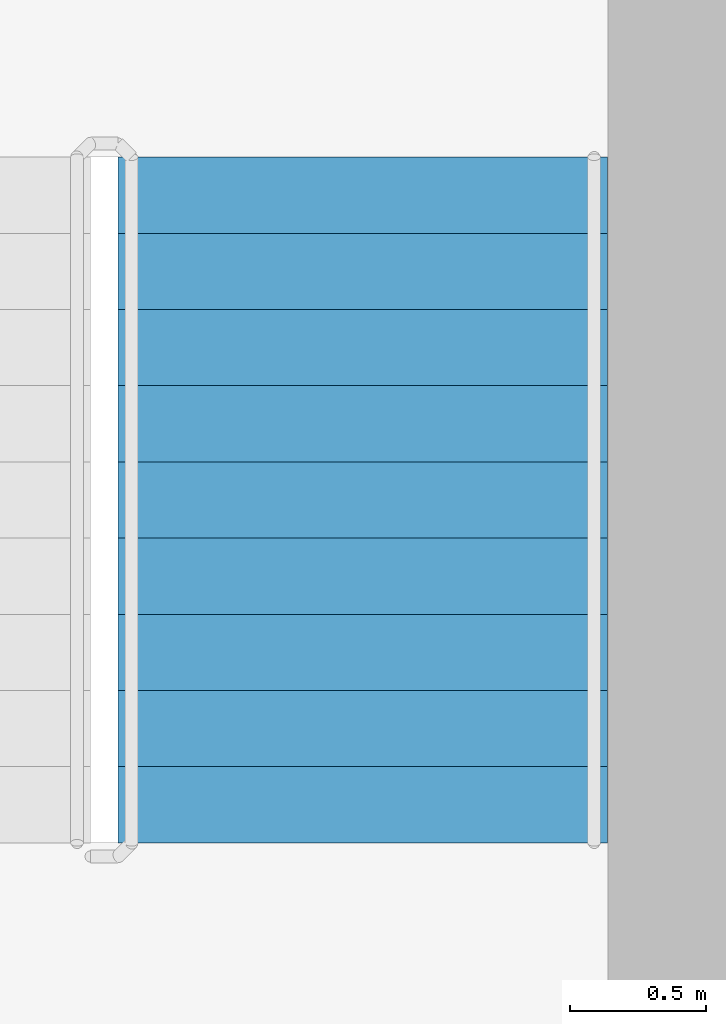
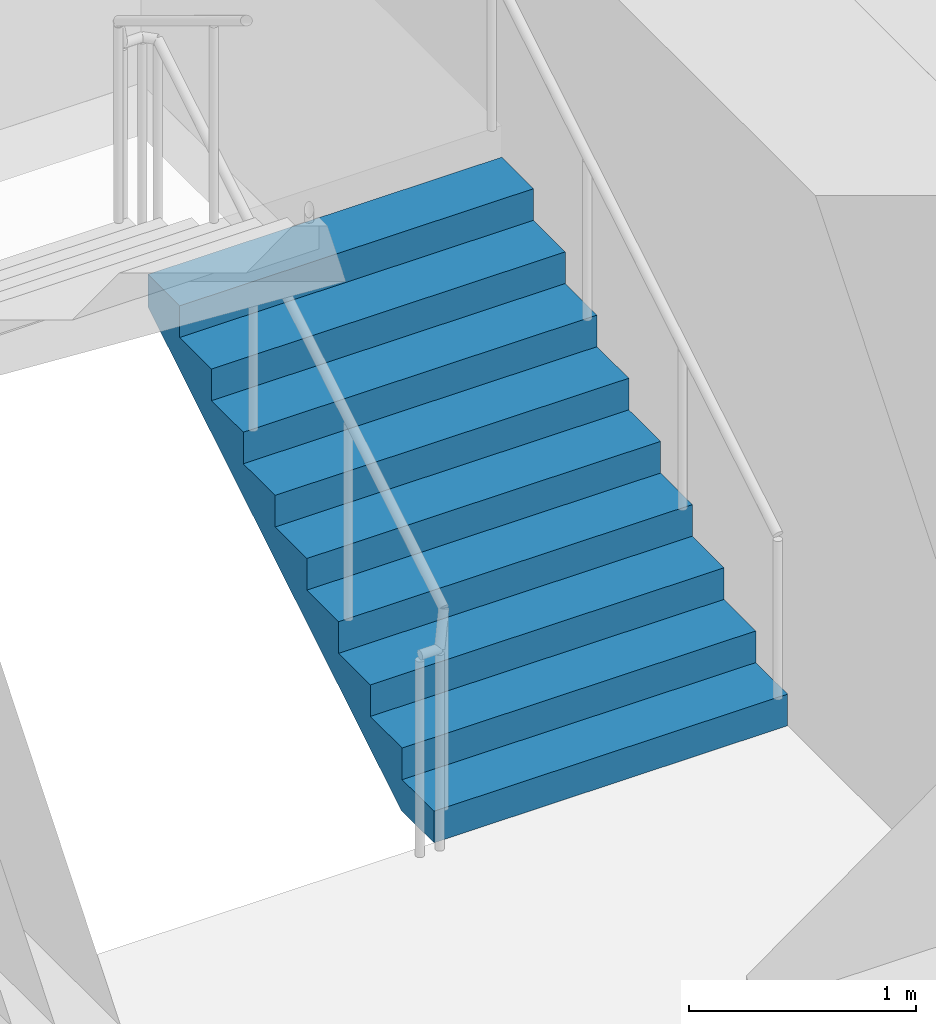
# One storey, part 19 of 23: 1 stair flight, 1 element without a shape of its own.
"""IFC4 building model written with IfcOpenShell, lengths in metres."""

from ifc_helpers import new_model, si_unit, direction, frame, origin, place, context, subcontext, project, spatial, triangles, source, transform, mapped, material, type_object, element, aggregate, save


model = new_model("IFC4")

# Units and contexts
model_context = context("Model", 3, precision=1e-05, world=origin(), true_north=direction((0.0, 1.0)))
body_context = subcontext(model_context, "Body", "Model", "MODEL_VIEW")
ifc_project = project(units=[si_unit("LENGTHUNIT", "METRE"), si_unit("AREAUNIT", "SQUARE_METRE"), si_unit("VOLUMEUNIT", "CUBIC_METRE"), si_unit("PLANEANGLEUNIT", "RADIAN"), si_unit("MASSUNIT", "GRAM", prefix="KILO")], contexts=[model_context])

# Site, building, storey
site_placement = place(None, origin())
site = spatial("IfcSite", under=ifc_project, at=site_placement, CompositionType="ELEMENT")
building_placement = place(site_placement, origin())
building = spatial("IfcBuilding", under=site, at=building_placement, Name="Kilnfold Tower and Market Hall", CompositionType="ELEMENT")
storey_placement = place(building_placement, frame((0.0, 0.0, 160.89990234375)))
storey = spatial("IfcBuildingStorey", under=building, at=storey_placement, Name="L37", CompositionType="ELEMENT", Elevation=160.89990234375)

# Stair, stair flight
ifc_material_1 = material(Name="Concrete C40/50", Category="concrete")
stair_type = type_object("IfcStairType", Name="CORE STAIR 1800", PredefinedType="HALF_TURN_STAIR", material=ifc_material_1)
stair_placement = place(storey_placement, origin())
stair = element("IfcStair", 1, at=stair_placement, inside=storey, type_object=stair_type, Name="L37 ST2", PredefinedType="HALF_TURN_STAIR")
ifc_material_2 = material(Name="Concrete C40/50", Category="concrete")
stair_flight_type = type_object("IfcStairFlightType", Name="CORE STAIR FLIGHT 1800", PredefinedType="STRAIGHT", material=ifc_material_2)
shared_shape = source(origin(), body_context, "Body", "Tessellation", [
    triangles([(0.0, 0.89990234375, 0.0), (0.0, 0.78759765625, 0.0), (0.0, 0.675048828125, 0.0), (0.0, 0.5625, 0.0), (0.0, 0.449951171875, 0.0), (0.0, 0.33740234375, 0.0), (0.0, 0.22509765625, 0.0), (0.0, 0.112548828125, 0.0), (0.0, 0.0, 0.0), (0.0, -0.112548828125, 0.0), (0.0, -0.22509765625, 0.0), (0.0, -0.33740234375, 0.0), (0.0, -0.449951171875, 0.0), (0.0, -0.5625, 0.0), (0.0, -0.675048828125, 0.0), (0.0, -0.78759765625, 0.0), (0.0, -0.89990234375, 0.0), (0.0, 0.89990234375, 0.169921875), (0.0, 0.78759765625, 0.169921875), (0.0, 0.675048828125, 0.169921875), (0.0, 0.5625, 0.169921875), (0.0, 0.449951171875, 0.169921875), (0.0, 0.33740234375, 0.169921875), (0.0, 0.22509765625, 0.169921875), (0.0, 0.112548828125, 0.169921875), (0.0, 0.0, 0.169921875), (0.0, -0.112548828125, 0.169921875), (0.0, -0.22509765625, 0.169921875), (0.0, -0.33740234375, 0.169921875), (0.0, -0.449951171875, 0.169921875), (0.0, -0.5625, 0.169921875), (0.0, -0.675048828125, 0.169921875), (0.0, -0.78759765625, 0.169921875), (0.0, -0.89990234375, 0.169921875), (0.280029296875, 0.89990234375, 0.169921875), (0.280029296875, 0.78759765625, 0.169921875), (0.280029296875, 0.675048828125, 0.169921875), (0.280029296875, 0.5625, 0.169921875), (0.280029296875, 0.449951171875, 0.169921875), (0.280029296875, 0.33740234375, 0.169921875), (0.280029296875, 0.22509765625, 0.169921875), (0.280029296875, 0.112548828125, 0.169921875), (0.280029296875, 0.0, 0.169921875), (0.280029296875, -0.112548828125, 0.169921875), (0.280029296875, -0.22509765625, 0.169921875), (0.280029296875, -0.33740234375, 0.169921875), (0.280029296875, -0.449951171875, 0.169921875), (0.280029296875, -0.5625, 0.169921875), (0.280029296875, -0.675048828125, 0.169921875), (0.280029296875, -0.78759765625, 0.169921875), (0.280029296875, -0.89990234375, 0.169921875), (0.280029296875, 0.89990234375, 0.340087890625), (0.280029296875, 0.78759765625, 0.340087890625), (0.280029296875, 0.675048828125, 0.340087890625), (0.280029296875, 0.5625, 0.340087890625), (0.280029296875, 0.449951171875, 0.340087890625), (0.280029296875, 0.33740234375, 0.340087890625), (0.280029296875, 0.22509765625, 0.340087890625), (0.280029296875, 0.112548828125, 0.340087890625), (0.280029296875, 0.0, 0.340087890625), (0.280029296875, -0.112548828125, 0.340087890625), (0.280029296875, -0.22509765625, 0.340087890625), (0.280029296875, -0.33740234375, 0.340087890625), (0.280029296875, -0.449951171875, 0.340087890625), (0.280029296875, -0.5625, 0.340087890625), (0.280029296875, -0.675048828125, 0.340087890625), (0.280029296875, -0.78759765625, 0.340087890625), (0.280029296875, -0.89990234375, 0.340087890625), (0.56005859375, 0.89990234375, 0.340087890625), (0.56005859375, 0.78759765625, 0.340087890625), (0.56005859375, 0.675048828125, 0.340087890625), (0.56005859375, 0.5625, 0.340087890625), (0.56005859375, 0.449951171875, 0.340087890625), (0.56005859375, 0.33740234375, 0.340087890625), (0.56005859375, 0.22509765625, 0.340087890625), (0.56005859375, 0.112548828125, 0.340087890625), (0.56005859375, 0.0, 0.340087890625), (0.56005859375, -0.112548828125, 0.340087890625), (0.56005859375, -0.22509765625, 0.340087890625), (0.56005859375, -0.33740234375, 0.340087890625), (0.56005859375, -0.449951171875, 0.340087890625), (0.56005859375, -0.5625, 0.340087890625), (0.56005859375, -0.675048828125, 0.340087890625), (0.56005859375, -0.78759765625, 0.340087890625), (0.56005859375, -0.89990234375, 0.340087890625), (0.56005859375, 0.89990234375, 0.510009765625), (0.56005859375, 0.78759765625, 0.510009765625), (0.56005859375, 0.675048828125, 0.510009765625), (0.56005859375, 0.5625, 0.510009765625), (0.56005859375, 0.449951171875, 0.510009765625), (0.56005859375, 0.33740234375, 0.510009765625), (0.56005859375, 0.22509765625, 0.510009765625), (0.56005859375, 0.112548828125, 0.510009765625), (0.56005859375, 0.0, 0.510009765625), (0.56005859375, -0.112548828125, 0.510009765625), (0.56005859375, -0.22509765625, 0.510009765625), (0.56005859375, -0.33740234375, 0.510009765625), (0.56005859375, -0.449951171875, 0.510009765625), (0.56005859375, -0.5625, 0.510009765625), (0.56005859375, -0.675048828125, 0.510009765625), (0.56005859375, -0.78759765625, 0.510009765625), (0.56005859375, -0.89990234375, 0.510009765625), (0.840087890625, 0.89990234375, 0.510009765625), (0.840087890625, 0.78759765625, 0.510009765625), (0.840087890625, 0.675048828125, 0.510009765625), (0.840087890625, 0.5625, 0.510009765625), (0.840087890625, 0.449951171875, 0.510009765625), (0.840087890625, 0.33740234375, 0.510009765625), (0.840087890625, 0.22509765625, 0.510009765625), (0.840087890625, 0.112548828125, 0.510009765625), (0.840087890625, 0.0, 0.510009765625), (0.840087890625, -0.112548828125, 0.510009765625), (0.840087890625, -0.22509765625, 0.510009765625), (0.840087890625, -0.33740234375, 0.510009765625), (0.840087890625, -0.449951171875, 0.510009765625), (0.840087890625, -0.5625, 0.510009765625), (0.840087890625, -0.675048828125, 0.510009765625), (0.840087890625, -0.78759765625, 0.510009765625), (0.840087890625, -0.89990234375, 0.510009765625), (0.840087890625, 0.89990234375, 0.679931640625), (0.840087890625, 0.78759765625, 0.679931640625), (0.840087890625, 0.675048828125, 0.679931640625), (0.840087890625, 0.5625, 0.679931640625), (0.840087890625, 0.449951171875, 0.679931640625), (0.840087890625, 0.33740234375, 0.679931640625), (0.840087890625, 0.22509765625, 0.679931640625), (0.840087890625, 0.112548828125, 0.679931640625), (0.840087890625, 0.0, 0.679931640625), (0.840087890625, -0.112548828125, 0.679931640625), (0.840087890625, -0.22509765625, 0.679931640625), (0.840087890625, -0.33740234375, 0.679931640625), (0.840087890625, -0.449951171875, 0.679931640625), (0.840087890625, -0.5625, 0.679931640625), (0.840087890625, -0.675048828125, 0.679931640625), (0.840087890625, -0.78759765625, 0.679931640625), (0.840087890625, -0.89990234375, 0.679931640625), (1.1201171875, 0.89990234375, 0.679931640625), (1.1201171875, 0.78759765625, 0.679931640625), (1.1201171875, 0.675048828125, 0.679931640625), (1.1201171875, 0.5625, 0.679931640625), (1.1201171875, 0.449951171875, 0.679931640625), (1.1201171875, 0.33740234375, 0.679931640625), (1.1201171875, 0.22509765625, 0.679931640625), (1.1201171875, 0.112548828125, 0.679931640625), (1.1201171875, 0.0, 0.679931640625), (1.1201171875, -0.112548828125, 0.679931640625), (1.1201171875, -0.22509765625, 0.679931640625), (1.1201171875, -0.33740234375, 0.679931640625), (1.1201171875, -0.449951171875, 0.679931640625), (1.1201171875, -0.5625, 0.679931640625), (1.1201171875, -0.675048828125, 0.679931640625), (1.1201171875, -0.78759765625, 0.679931640625), (1.1201171875, -0.89990234375, 0.679931640625), (1.1201171875, 0.89990234375, 0.85009765625), (1.1201171875, 0.78759765625, 0.85009765625), (1.1201171875, 0.675048828125, 0.85009765625), (1.1201171875, 0.5625, 0.85009765625), (1.1201171875, 0.449951171875, 0.85009765625), (1.1201171875, 0.33740234375, 0.85009765625), (1.1201171875, 0.22509765625, 0.85009765625), (1.1201171875, 0.112548828125, 0.85009765625), (1.1201171875, 0.0, 0.85009765625), (1.1201171875, -0.112548828125, 0.85009765625), (1.1201171875, -0.22509765625, 0.85009765625), (1.1201171875, -0.33740234375, 0.85009765625), (1.1201171875, -0.449951171875, 0.85009765625), (1.1201171875, -0.5625, 0.85009765625), (1.1201171875, -0.675048828125, 0.85009765625), (1.1201171875, -0.78759765625, 0.85009765625), (1.1201171875, -0.89990234375, 0.85009765625), (1.39990234375, 0.89990234375, 0.85009765625), (1.39990234375, 0.78759765625, 0.85009765625), (1.39990234375, 0.675048828125, 0.85009765625), (1.39990234375, 0.5625, 0.85009765625), (1.39990234375, 0.449951171875, 0.85009765625), (1.39990234375, 0.33740234375, 0.85009765625), (1.39990234375, 0.22509765625, 0.85009765625), (1.39990234375, 0.112548828125, 0.85009765625), (1.39990234375, 0.0, 0.85009765625), (1.39990234375, -0.112548828125, 0.85009765625), (1.39990234375, -0.22509765625, 0.85009765625), (1.39990234375, -0.33740234375, 0.85009765625), (1.39990234375, -0.449951171875, 0.85009765625), (1.39990234375, -0.5625, 0.85009765625), (1.39990234375, -0.675048828125, 0.85009765625), (1.39990234375, -0.78759765625, 0.85009765625), (1.39990234375, -0.89990234375, 0.85009765625), (1.39990234375, 0.89990234375, 1.02001953125), (1.39990234375, 0.78759765625, 1.02001953125), (1.39990234375, 0.675048828125, 1.02001953125), (1.39990234375, 0.5625, 1.02001953125), (1.39990234375, 0.449951171875, 1.02001953125), (1.39990234375, 0.33740234375, 1.02001953125), (1.39990234375, 0.22509765625, 1.02001953125), (1.39990234375, 0.112548828125, 1.02001953125), (1.39990234375, 0.0, 1.02001953125), (1.39990234375, -0.112548828125, 1.02001953125), (1.39990234375, -0.22509765625, 1.02001953125), (1.39990234375, -0.33740234375, 1.02001953125), (1.39990234375, -0.449951171875, 1.02001953125), (1.39990234375, -0.5625, 1.02001953125), (1.39990234375, -0.675048828125, 1.02001953125), (1.39990234375, -0.78759765625, 1.02001953125), (1.39990234375, -0.89990234375, 1.02001953125), (1.679931640625, 0.89990234375, 1.02001953125), (1.679931640625, 0.78759765625, 1.02001953125), (1.679931640625, 0.675048828125, 1.02001953125), (1.679931640625, 0.5625, 1.02001953125), (1.679931640625, 0.449951171875, 1.02001953125), (1.679931640625, 0.33740234375, 1.02001953125), (1.679931640625, 0.22509765625, 1.02001953125), (1.679931640625, 0.112548828125, 1.02001953125), (1.679931640625, 0.0, 1.02001953125), (1.679931640625, -0.112548828125, 1.02001953125), (1.679931640625, -0.22509765625, 1.02001953125), (1.679931640625, -0.33740234375, 1.02001953125), (1.679931640625, -0.449951171875, 1.02001953125), (1.679931640625, -0.5625, 1.02001953125), (1.679931640625, -0.675048828125, 1.02001953125), (1.679931640625, -0.78759765625, 1.02001953125), (1.679931640625, -0.89990234375, 1.02001953125), (1.679931640625, 0.89990234375, 1.18994140625), (1.679931640625, 0.78759765625, 1.18994140625), (1.679931640625, 0.675048828125, 1.18994140625), (1.679931640625, 0.5625, 1.18994140625), (1.679931640625, 0.449951171875, 1.18994140625), (1.679931640625, 0.33740234375, 1.18994140625), (1.679931640625, 0.22509765625, 1.18994140625), (1.679931640625, 0.112548828125, 1.18994140625), (1.679931640625, 0.0, 1.18994140625), (1.679931640625, -0.112548828125, 1.18994140625), (1.679931640625, -0.22509765625, 1.18994140625), (1.679931640625, -0.33740234375, 1.18994140625), (1.679931640625, -0.449951171875, 1.18994140625), (1.679931640625, -0.5625, 1.18994140625), (1.679931640625, -0.675048828125, 1.18994140625), (1.679931640625, -0.78759765625, 1.18994140625), (1.679931640625, -0.89990234375, 1.18994140625), (1.9599609375, 0.89990234375, 1.18994140625), (1.9599609375, 0.78759765625, 1.18994140625), (1.9599609375, 0.675048828125, 1.18994140625), (1.9599609375, 0.5625, 1.18994140625), (1.9599609375, 0.449951171875, 1.18994140625), (1.9599609375, 0.33740234375, 1.18994140625), (1.9599609375, 0.22509765625, 1.18994140625), (1.9599609375, 0.112548828125, 1.18994140625), (1.9599609375, 0.0, 1.18994140625), (1.9599609375, -0.112548828125, 1.18994140625), (1.9599609375, -0.22509765625, 1.18994140625), (1.9599609375, -0.33740234375, 1.18994140625), (1.9599609375, -0.449951171875, 1.18994140625), (1.9599609375, -0.5625, 1.18994140625), (1.9599609375, -0.675048828125, 1.18994140625), (1.9599609375, -0.78759765625, 1.18994140625), (1.9599609375, -0.89990234375, 1.18994140625), (1.9599609375, 0.89990234375, 1.360107421875), (1.9599609375, 0.78759765625, 1.360107421875), (1.9599609375, 0.675048828125, 1.360107421875), (1.9599609375, 0.5625, 1.360107421875), (1.9599609375, 0.449951171875, 1.360107421875), (1.9599609375, 0.33740234375, 1.360107421875), (1.9599609375, 0.22509765625, 1.360107421875), (1.9599609375, 0.112548828125, 1.360107421875), (1.9599609375, 0.0, 1.360107421875), (1.9599609375, -0.112548828125, 1.360107421875), (1.9599609375, -0.22509765625, 1.360107421875), (1.9599609375, -0.33740234375, 1.360107421875), (1.9599609375, -0.449951171875, 1.360107421875), (1.9599609375, -0.5625, 1.360107421875), (1.9599609375, -0.675048828125, 1.360107421875), (1.9599609375, -0.78759765625, 1.360107421875), (1.9599609375, -0.89990234375, 1.360107421875), (2.239990234375, 0.89990234375, 1.360107421875), (2.239990234375, 0.78759765625, 1.360107421875), (2.239990234375, 0.675048828125, 1.360107421875), (2.239990234375, 0.5625, 1.360107421875), (2.239990234375, 0.449951171875, 1.360107421875), (2.239990234375, 0.33740234375, 1.360107421875), (2.239990234375, 0.22509765625, 1.360107421875), (2.239990234375, 0.112548828125, 1.360107421875), (2.239990234375, 0.0, 1.360107421875), (2.239990234375, -0.112548828125, 1.360107421875), (2.239990234375, -0.22509765625, 1.360107421875), (2.239990234375, -0.33740234375, 1.360107421875), (2.239990234375, -0.449951171875, 1.360107421875), (2.239990234375, -0.5625, 1.360107421875), (2.239990234375, -0.675048828125, 1.360107421875), (2.239990234375, -0.78759765625, 1.360107421875), (2.239990234375, -0.89990234375, 1.360107421875), (2.239990234375, 0.89990234375, 1.530029296875), (2.239990234375, 0.78759765625, 1.530029296875), (2.239990234375, 0.675048828125, 1.530029296875), (2.239990234375, 0.5625, 1.530029296875), (2.239990234375, 0.449951171875, 1.530029296875), (2.239990234375, 0.33740234375, 1.530029296875), (2.239990234375, 0.22509765625, 1.530029296875), (2.239990234375, 0.112548828125, 1.530029296875), (2.239990234375, 0.0, 1.530029296875), (2.239990234375, -0.112548828125, 1.530029296875), (2.239990234375, -0.22509765625, 1.530029296875), (2.239990234375, -0.33740234375, 1.530029296875), (2.239990234375, -0.449951171875, 1.530029296875), (2.239990234375, -0.5625, 1.530029296875), (2.239990234375, -0.675048828125, 1.530029296875), (2.239990234375, -0.78759765625, 1.530029296875), (2.239990234375, -0.89990234375, 1.530029296875), (2.52001953125, 0.89990234375, 1.530029296875), (2.52001953125, 0.78759765625, 1.530029296875), (2.52001953125, 0.675048828125, 1.530029296875), (2.52001953125, 0.5625, 1.530029296875), (2.52001953125, 0.449951171875, 1.530029296875), (2.52001953125, 0.33740234375, 1.530029296875), (2.52001953125, 0.22509765625, 1.530029296875), (2.52001953125, 0.112548828125, 1.530029296875), (2.52001953125, 0.0, 1.530029296875), (2.52001953125, -0.112548828125, 1.530029296875), (2.52001953125, -0.22509765625, 1.530029296875), (2.52001953125, -0.33740234375, 1.530029296875), (2.52001953125, -0.449951171875, 1.530029296875), (2.52001953125, -0.5625, 1.530029296875), (2.52001953125, -0.675048828125, 1.530029296875), (2.52001953125, -0.78759765625, 1.530029296875), (2.52001953125, -0.89990234375, 1.530029296875), (2.52001953125, 0.89990234375, 1.354736328125), (2.52001953125, 0.78759765625, 1.354736328125), (2.52001953125, 0.675048828125, 1.354736328125), (2.52001953125, 0.5625, 1.354736328125), (2.52001953125, 0.449951171875, 1.354736328125), (2.52001953125, 0.33740234375, 1.354736328125), (2.52001953125, 0.22509765625, 1.354736328125), (2.52001953125, 0.112548828125, 1.354736328125), (2.52001953125, 0.0, 1.354736328125), (2.52001953125, -0.112548828125, 1.354736328125), (2.52001953125, -0.22509765625, 1.354736328125), (2.52001953125, -0.33740234375, 1.354736328125), (2.52001953125, -0.449951171875, 1.354736328125), (2.52001953125, -0.5625, 1.354736328125), (2.52001953125, -0.675048828125, 1.354736328125), (2.52001953125, -0.78759765625, 1.354736328125), (2.52001953125, -0.89990234375, 1.354736328125), (0.288818359375, 0.89990234375, 0.0), (0.288818359375, 0.78759765625, 0.0), (0.288818359375, 0.675048828125, 0.0), (0.288818359375, 0.5625, 0.0), (0.288818359375, 0.449951171875, 0.0), (0.288818359375, 0.33740234375, 0.0), (0.288818359375, 0.22509765625, 0.0), (0.288818359375, 0.112548828125, 0.0), (0.288818359375, 0.0, 0.0), (0.288818359375, -0.112548828125, 0.0), (0.288818359375, -0.22509765625, 0.0), (0.288818359375, -0.33740234375, 0.0), (0.288818359375, -0.449951171875, 0.0), (0.288818359375, -0.5625, 0.0), (0.288818359375, -0.675048828125, 0.0), (0.288818359375, -0.78759765625, 0.0), (0.288818359375, -0.89990234375, 0.0)], [[1, 324, 341], [17, 357, 340], [324, 290, 307], [340, 323, 306], [324, 273, 290], [340, 306, 289], [324, 256, 273], [340, 289, 272], [324, 239, 256], [340, 272, 255], [239, 205, 222], [255, 238, 221], [324, 205, 239], [340, 255, 221], [205, 171, 188], [221, 204, 187], [324, 171, 205], [340, 221, 187], [171, 137, 154], [187, 170, 153], [324, 137, 171], [340, 187, 153], [137, 103, 120], [153, 136, 119], [324, 103, 137], [340, 153, 119], [103, 69, 86], [119, 102, 85], [324, 69, 103], [340, 119, 85], [69, 35, 52], [85, 68, 51], [324, 35, 69], [340, 85, 51], [1, 35, 324], [17, 340, 51], [35, 1, 18], [51, 34, 17], [1, 19, 18], [1, 2, 19], [2, 20, 19], [2, 3, 20], [3, 21, 20], [3, 4, 21], [4, 22, 21], [4, 5, 22], [5, 23, 22], [5, 6, 23], [6, 24, 23], [6, 7, 24], [7, 25, 24], [7, 8, 25], [8, 26, 25], [8, 9, 26], [9, 27, 26], [9, 10, 27], [10, 28, 27], [10, 11, 28], [11, 29, 28], [11, 12, 29], [12, 30, 29], [12, 13, 30], [13, 31, 30], [13, 14, 31], [14, 32, 31], [14, 15, 32], [15, 33, 32], [15, 16, 33], [16, 34, 33], [16, 17, 34], [18, 36, 35], [18, 19, 36], [19, 37, 36], [19, 20, 37], [20, 38, 37], [20, 21, 38], [21, 39, 38], [21, 22, 39], [22, 40, 39], [22, 23, 40], [23, 41, 40], [23, 24, 41], [24, 42, 41], [24, 25, 42], [25, 43, 42], [25, 26, 43], [26, 44, 43], [26, 27, 44], [27, 45, 44], [27, 28, 45], [28, 46, 45], [28, 29, 46], [29, 47, 46], [29, 30, 47], [30, 48, 47], [30, 31, 48], [31, 49, 48], [31, 32, 49], [32, 50, 49], [32, 33, 50], [33, 51, 50], [33, 34, 51], [35, 53, 52], [35, 36, 53], [36, 54, 53], [36, 37, 54], [37, 55, 54], [37, 38, 55], [38, 56, 55], [38, 39, 56], [39, 57, 56], [39, 40, 57], [40, 58, 57], [40, 41, 58], [41, 59, 58], [41, 42, 59], [42, 60, 59], [42, 43, 60], [43, 61, 60], [43, 44, 61], [44, 62, 61], [44, 45, 62], [45, 63, 62], [45, 46, 63], [46, 64, 63], [46, 47, 64], [47, 65, 64], [47, 48, 65], [48, 66, 65], [48, 49, 66], [49, 67, 66], [49, 50, 67], [50, 68, 67], [50, 51, 68], [52, 70, 69], [52, 53, 70], [53, 71, 70], [53, 54, 71], [54, 72, 71], [54, 55, 72], [55, 73, 72], [55, 56, 73], [56, 74, 73], [56, 57, 74], [57, 75, 74], [57, 58, 75], [58, 76, 75], [58, 59, 76], [59, 77, 76], [59, 60, 77], [60, 78, 77], [60, 61, 78], [61, 79, 78], [61, 62, 79], [62, 80, 79], [62, 63, 80], [63, 81, 80], [63, 64, 81], [64, 82, 81], [64, 65, 82], [65, 83, 82], [65, 66, 83], [66, 84, 83], [66, 67, 84], [67, 85, 84], [67, 68, 85], [69, 87, 86], [69, 70, 87], [70, 88, 87], [70, 71, 88], [71, 89, 88], [71, 72, 89], [72, 90, 89], [72, 73, 90], [73, 91, 90], [73, 74, 91], [74, 92, 91], [74, 75, 92], [75, 93, 92], [75, 76, 93], [76, 94, 93], [76, 77, 94], [77, 95, 94], [77, 78, 95], [78, 96, 95], [78, 79, 96], [79, 97, 96], [79, 80, 97], [80, 98, 97], [80, 81, 98], [81, 99, 98], [81, 82, 99], [82, 100, 99], [82, 83, 100], [83, 101, 100], [83, 84, 101], [84, 102, 101], [84, 85, 102], [86, 104, 103], [86, 87, 104], [87, 105, 104], [87, 88, 105], [88, 106, 105], [88, 89, 106], [89, 107, 106], [89, 90, 107], [90, 108, 107], [90, 91, 108], [91, 109, 108], [91, 92, 109], [92, 110, 109], [92, 93, 110], [93, 111, 110], [93, 94, 111], [94, 112, 111], [94, 95, 112], [95, 113, 112], [95, 96, 113], [96, 114, 113], [96, 97, 114], [97, 115, 114], [97, 98, 115], [98, 116, 115], [98, 99, 116], [99, 117, 116], [99, 100, 117], [100, 118, 117], [100, 101, 118], [101, 119, 118], [101, 102, 119], [103, 121, 120], [103, 104, 121], [104, 122, 121], [104, 105, 122], [105, 123, 122], [105, 106, 123], [106, 124, 123], [106, 107, 124], [107, 125, 124], [107, 108, 125], [108, 126, 125], [108, 109, 126], [109, 127, 126], [109, 110, 127], [110, 128, 127], [110, 111, 128], [111, 129, 128], [111, 112, 129], [112, 130, 129], [112, 113, 130], [113, 131, 130], [113, 114, 131], [114, 132, 131], [114, 115, 132], [115, 133, 132], [115, 116, 133], [116, 134, 133], [116, 117, 134], [117, 135, 134], [117, 118, 135], [118, 136, 135], [118, 119, 136], [120, 138, 137], [120, 121, 138], [121, 139, 138], [121, 122, 139], [122, 140, 139], [122, 123, 140], [123, 141, 140], [123, 124, 141], [124, 142, 141], [124, 125, 142], [125, 143, 142], [125, 126, 143], [126, 144, 143], [126, 127, 144], [127, 145, 144], [127, 128, 145], [128, 146, 145], [128, 129, 146], [129, 147, 146], [129, 130, 147], [130, 148, 147], [130, 131, 148], [131, 149, 148], [131, 132, 149], [132, 150, 149], [132, 133, 150], [133, 151, 150], [133, 134, 151], [134, 152, 151], [134, 135, 152], [135, 153, 152], [135, 136, 153], [137, 155, 154], [137, 138, 155], [138, 156, 155], [138, 139, 156], [139, 157, 156], [139, 140, 157], [140, 158, 157], [140, 141, 158], [141, 159, 158], [141, 142, 159], [142, 160, 159], [142, 143, 160], [143, 161, 160], [143, 144, 161], [144, 162, 161], [144, 145, 162], [145, 163, 162], [145, 146, 163], [146, 164, 163], [146, 147, 164], [147, 165, 164], [147, 148, 165], [148, 166, 165], [148, 149, 166], [149, 167, 166], [149, 150, 167], [150, 168, 167], [150, 151, 168], [151, 169, 168], [151, 152, 169], [152, 170, 169], [152, 153, 170], [154, 172, 171], [154, 155, 172], [155, 173, 172], [155, 156, 173], [156, 174, 173], [156, 157, 174], [157, 175, 174], [157, 158, 175], [158, 176, 175], [158, 159, 176], [159, 177, 176], [159, 160, 177], [160, 178, 177], [160, 161, 178], [161, 179, 178], [161, 162, 179], [162, 180, 179], [162, 163, 180], [163, 181, 180], [163, 164, 181], [164, 182, 181], [164, 165, 182], [165, 183, 182], [165, 166, 183], [166, 184, 183], [166, 167, 184], [167, 185, 184], [167, 168, 185], [168, 186, 185], [168, 169, 186], [169, 187, 186], [169, 170, 187], [171, 189, 188], [171, 172, 189], [172, 190, 189], [172, 173, 190], [173, 191, 190], [173, 174, 191], [174, 192, 191], [174, 175, 192], [175, 193, 192], [175, 176, 193], [176, 194, 193], [176, 177, 194], [177, 195, 194], [177, 178, 195], [178, 196, 195], [178, 179, 196], [179, 197, 196], [179, 180, 197], [180, 198, 197], [180, 181, 198], [181, 199, 198], [181, 182, 199], [182, 200, 199], [182, 183, 200], [183, 201, 200], [183, 184, 201], [184, 202, 201], [184, 185, 202], [185, 203, 202], [185, 186, 203], [186, 204, 203], [186, 187, 204], [188, 206, 205], [188, 189, 206], [189, 207, 206], [189, 190, 207], [190, 208, 207], [190, 191, 208], [191, 209, 208], [191, 192, 209], [192, 210, 209], [192, 193, 210], [193, 211, 210], [193, 194, 211], [194, 212, 211], [194, 195, 212], [195, 213, 212], [195, 196, 213], [196, 214, 213], [196, 197, 214], [197, 215, 214], [197, 198, 215], [198, 216, 215], [198, 199, 216], [199, 217, 216], [199, 200, 217], [200, 218, 217], [200, 201, 218], [201, 219, 218], [201, 202, 219], [202, 220, 219], [202, 203, 220], [203, 221, 220], [203, 204, 221], [205, 223, 222], [205, 206, 223], [206, 224, 223], [206, 207, 224], [207, 225, 224], [207, 208, 225], [208, 226, 225], [208, 209, 226], [209, 227, 226], [209, 210, 227], [210, 228, 227], [210, 211, 228], [211, 229, 228], [211, 212, 229], [212, 230, 229], [212, 213, 230], [213, 231, 230], [213, 214, 231], [214, 232, 231], [214, 215, 232], [215, 233, 232], [215, 216, 233], [216, 234, 233], [216, 217, 234], [217, 235, 234], [217, 218, 235], [218, 236, 235], [218, 219, 236], [219, 237, 236], [219, 220, 237], [220, 238, 237], [220, 221, 238], [222, 240, 239], [222, 223, 240], [223, 241, 240], [223, 224, 241], [224, 242, 241], [224, 225, 242], [225, 243, 242], [225, 226, 243], [226, 244, 243], [226, 227, 244], [227, 245, 244], [227, 228, 245], [228, 246, 245], [228, 229, 246], [229, 247, 246], [229, 230, 247], [230, 248, 247], [230, 231, 248], [231, 249, 248], [231, 232, 249], [232, 250, 249], [232, 233, 250], [233, 251, 250], [233, 234, 251], [234, 252, 251], [234, 235, 252], [235, 253, 252], [235, 236, 253], [236, 254, 253], [236, 237, 254], [237, 255, 254], [237, 238, 255], [239, 257, 256], [239, 240, 257], [240, 258, 257], [240, 241, 258], [241, 259, 258], [241, 242, 259], [242, 260, 259], [242, 243, 260], [243, 261, 260], [243, 244, 261], [244, 262, 261], [244, 245, 262], [245, 263, 262], [245, 246, 263], [246, 264, 263], [246, 247, 264], [247, 265, 264], [247, 248, 265], [248, 266, 265], [248, 249, 266], [249, 267, 266], [249, 250, 267], [250, 268, 267], [250, 251, 268], [251, 269, 268], [251, 252, 269], [252, 270, 269], [252, 253, 270], [253, 271, 270], [253, 254, 271], [254, 272, 271], [254, 255, 272], [256, 274, 273], [256, 257, 274], [257, 275, 274], [257, 258, 275], [258, 276, 275], [258, 259, 276], [259, 277, 276], [259, 260, 277], [260, 278, 277], [260, 261, 278], [261, 279, 278], [261, 262, 279], [262, 280, 279], [262, 263, 280], [263, 281, 280], [263, 264, 281], [264, 282, 281], [264, 265, 282], [265, 283, 282], [265, 266, 283], [266, 284, 283], [266, 267, 284], [267, 285, 284], [267, 268, 285], [268, 286, 285], [268, 269, 286], [269, 287, 286], [269, 270, 287], [270, 288, 287], [270, 271, 288], [271, 289, 288], [271, 272, 289], [273, 291, 290], [273, 274, 291], [274, 292, 291], [274, 275, 292], [275, 293, 292], [275, 276, 293], [276, 294, 293], [276, 277, 294], [277, 295, 294], [277, 278, 295], [278, 296, 295], [278, 279, 296], [279, 297, 296], [279, 280, 297], [280, 298, 297], [280, 281, 298], [281, 299, 298], [281, 282, 299], [282, 300, 299], [282, 283, 300], [283, 301, 300], [283, 284, 301], [284, 302, 301], [284, 285, 302], [285, 303, 302], [285, 286, 303], [286, 304, 303], [286, 287, 304], [287, 305, 304], [287, 288, 305], [288, 306, 305], [288, 289, 306], [290, 308, 307], [290, 291, 308], [291, 309, 308], [291, 292, 309], [292, 310, 309], [292, 293, 310], [293, 311, 310], [293, 294, 311], [294, 312, 311], [294, 295, 312], [295, 313, 312], [295, 296, 313], [296, 314, 313], [296, 297, 314], [297, 315, 314], [297, 298, 315], [298, 316, 315], [298, 299, 316], [299, 317, 316], [299, 300, 317], [300, 318, 317], [300, 301, 318], [301, 319, 318], [301, 302, 319], [302, 320, 319], [302, 303, 320], [303, 321, 320], [303, 304, 321], [304, 322, 321], [304, 305, 322], [305, 323, 322], [305, 306, 323], [307, 325, 324], [307, 308, 325], [308, 326, 325], [308, 309, 326], [309, 327, 326], [309, 310, 327], [310, 328, 327], [310, 311, 328], [311, 329, 328], [311, 312, 329], [312, 330, 329], [312, 313, 330], [313, 331, 330], [313, 314, 331], [314, 332, 331], [314, 315, 332], [315, 333, 332], [315, 316, 333], [316, 334, 333], [316, 317, 334], [317, 335, 334], [317, 318, 335], [318, 336, 335], [318, 319, 336], [319, 337, 336], [319, 320, 337], [320, 338, 337], [320, 321, 338], [321, 339, 338], [321, 322, 339], [322, 340, 339], [322, 323, 340], [324, 342, 341], [324, 325, 342], [325, 343, 342], [325, 326, 343], [326, 344, 343], [326, 327, 344], [327, 345, 344], [327, 328, 345], [328, 346, 345], [328, 329, 346], [329, 347, 346], [329, 330, 347], [330, 348, 347], [330, 331, 348], [331, 349, 348], [331, 332, 349], [332, 350, 349], [332, 333, 350], [333, 351, 350], [333, 334, 351], [334, 352, 351], [334, 335, 352], [335, 353, 352], [335, 336, 353], [336, 354, 353], [336, 337, 354], [337, 355, 354], [337, 338, 355], [338, 356, 355], [338, 339, 356], [339, 357, 356], [339, 340, 357], [341, 2, 1], [341, 342, 2], [342, 3, 2], [342, 343, 3], [343, 4, 3], [343, 344, 4], [344, 5, 4], [344, 345, 5], [345, 6, 5], [345, 346, 6], [346, 7, 6], [346, 347, 7], [347, 8, 7], [347, 348, 8], [348, 9, 8], [348, 349, 9], [349, 10, 9], [349, 350, 10], [350, 11, 10], [350, 351, 11], [351, 12, 11], [351, 352, 12], [352, 13, 12], [352, 353, 13], [353, 14, 13], [353, 354, 14], [354, 15, 14], [354, 355, 15], [355, 16, 15], [355, 356, 16], [356, 17, 16], [356, 357, 17]], closed=True),
])
stair_flight_placement = place(storey_placement, frame((16.199951171875, 10.800048828125, 0.0), z_axis=(0.0, 0.0, 1.0), x_axis=(0.0, 1.0, 0.0)))
stair_flight = element("IfcStairFlight", 2, at=stair_flight_placement, type_object=stair_flight_type, Name="ST2 flight 1", NumberOfRisers=10, NumberOfTreads=9, PredefinedType="STRAIGHT", RiserHeight=0.17, TreadLength=0.28, context=body_context, shape_type="MappedRepresentation", body=[
    mapped(shared_shape, transform((0.0, 0.0, 0.0))),
])
aggregate(stair, [stair_flight])

save(model, "model.ifc")
